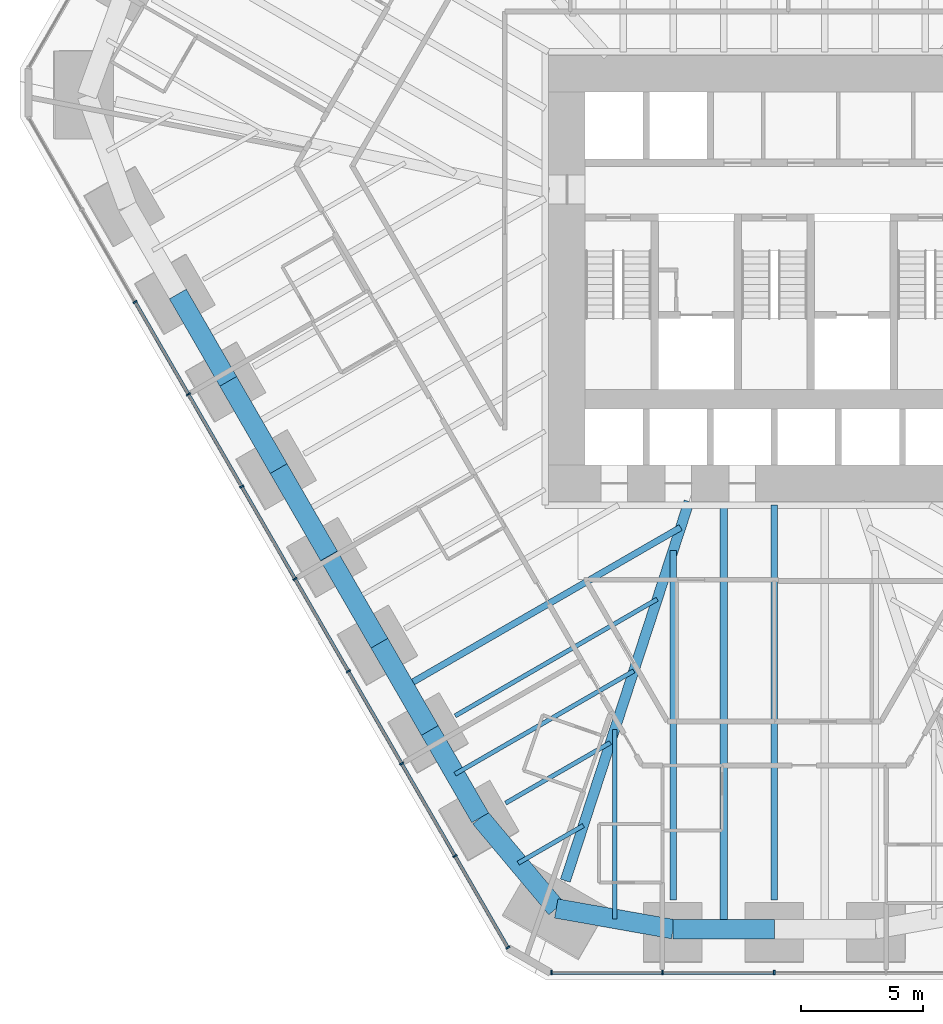
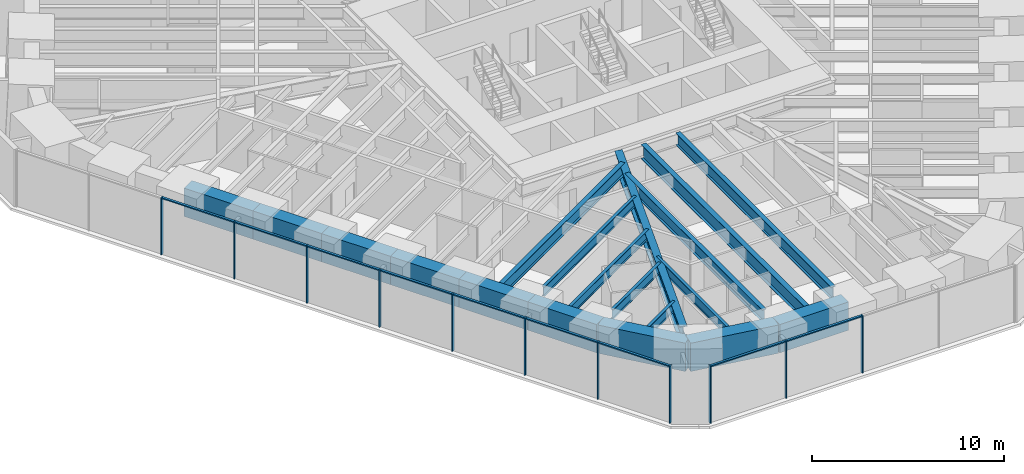
# One storey, part 2 of 17: 20 members, 19 beams, 2 elements without a shape of their own.
"""IFC4 building model written with IfcOpenShell, lengths in metres."""

import ifcopenshell
import ifcopenshell.guid

model = None  # the IFC model being written
_history = None  # IfcOwnerHistory: only IFC2X3 demands one
_inside = {}  # id of a spatial element -> (the spatial element, [elements in it])
_under = {}  # id of a project, library or spatial element -> (it, [spatial elements below it])
_declared = {}  # id of a project -> (the project, [libraries it declares])
_typed = {}  # id of a type object -> (the type object, [elements of that type])
_made_of = {}  # id of a material, layer set ... -> (it, [elements and type objects made of it])


def new_model(schema):
    """Start an empty IFC model of exactly this schema.

    Asked for "IFC4X3", IfcOpenShell would pick the latest addendum, in which some entities
    have other attributes; the version numbers below select the first issue.
    IFC2X3 requires an IfcOwnerHistory on every rooted entity: one is made here for all.
    """
    global model, _history
    if schema == "IFC4X3":
        model = ifcopenshell.file(schema_version=(4, 3, 0, 0))
    else:
        model = ifcopenshell.file(schema=schema)
    _inside.clear()
    _under.clear()
    _declared.clear()
    _typed.clear()
    _made_of.clear()
    _history = None
    if model.schema == "IFC2X3":
        org = make("IfcOrganization", Name="unknown")
        user = make(
            "IfcPersonAndOrganization",
            ThePerson=make("IfcPerson", FamilyName="unknown"),
            TheOrganization=org,
        )
        app = make(
            "IfcApplication",
            ApplicationDeveloper=org,
            Version="unknown",
            ApplicationFullName="unknown",
            ApplicationIdentifier="unknown",
        )
        _history = make(
            "IfcOwnerHistory",
            OwningUser=user,
            OwningApplication=app,
            ChangeAction="ADDED",
            CreationDate=0,
        )
    return model


def make(cls, **values):
    """One entity of the class cls with the attributes given. An attribute that is None is left unset."""
    return model.create_entity(
        cls, **{name: value for name, value in values.items() if value is not None}
    )


def rooted(cls, **values):
    """An entity with a GlobalId (a new one), such as an element, a storey or a relation."""
    return make(cls, GlobalId=ifcopenshell.guid.new(), OwnerHistory=_history, **values)


def si_unit(unit_type, name, prefix=None):
    """IfcSIUnit, for example si_unit("LENGTHUNIT", "METRE", prefix="MILLI")."""
    return make("IfcSIUnit", UnitType=unit_type, Prefix=prefix, Name=name)


def assignment(units):
    """IfcUnitAssignment: the units of a project."""
    return None if units is None else make("IfcUnitAssignment", Units=units)


def point(xyz):
    """IfcCartesianPoint."""
    return None if xyz is None else make("IfcCartesianPoint", Coordinates=xyz)


def direction(xyz):
    """IfcDirection."""
    return None if xyz is None else make("IfcDirection", DirectionRatios=xyz)


def frame(location, z_axis=None, x_axis=None):
    """IfcAxis2Placement3D, a coordinate frame: its origin and axes. An axis left out is left unset."""
    return make(
        "IfcAxis2Placement3D",
        Location=point(location),
        Axis=direction(z_axis),
        RefDirection=direction(x_axis),
    )


def frame_2d(location, x_axis=None):
    """IfcAxis2Placement2D, a coordinate frame in the plane: its origin and x axis."""
    return make(
        "IfcAxis2Placement2D", Location=point(location), RefDirection=direction(x_axis)
    )


def origin():
    """The frame at (0, 0, 0) with its axes left unset."""
    return frame((0.0, 0.0, 0.0))


def origin_2d():
    """The frame at (0, 0) in the plane with its x axis left unset."""
    return frame_2d((0.0, 0.0))


def place(relative_to, where):
    """IfcLocalPlacement: puts the frame where relative to a parent placement (None: the world)."""
    return make(
        "IfcLocalPlacement", PlacementRelTo=relative_to, RelativePlacement=where
    )


def context(
    kind, dimensions, precision=None, world=None, true_north=None, identifier=None
):
    """IfcGeometricRepresentationContext, for example the 3D "Model" context."""
    return make(
        "IfcGeometricRepresentationContext",
        ContextIdentifier=identifier,
        ContextType=kind,
        CoordinateSpaceDimension=dimensions,
        Precision=precision,
        WorldCoordinateSystem=world,
        TrueNorth=true_north,
    )


def subcontext(parent, identifier, kind, view, scale=None):
    """IfcGeometricRepresentationSubContext, for example "Body" below "Model"."""
    return make(
        "IfcGeometricRepresentationSubContext",
        ContextIdentifier=identifier,
        ContextType=kind,
        ParentContext=parent,
        TargetScale=scale,
        TargetView=view,
    )


def project(units=None, contexts=None):
    """IfcProject with its units and contexts."""
    return rooted(
        "IfcProject",
        Name="project",
        RepresentationContexts=contexts,
        UnitsInContext=assignment(units),
    )


def spatial(cls, under=None, at=None, **own):
    """A site, building, storey or space (cls), placed at a placement, below another one or the project."""
    s = rooted(cls, ObjectPlacement=at, **own)
    if under is not None:
        _under.setdefault(under.id(), (under, []))[1].append(s)
    return s


def profile(cls, at=None, kind="AREA", **sizes):
    """A parametric profile (cls). Its sizes go by their IFC names, for example OverallWidth=200.0."""
    return make(cls, ProfileType=kind, Position=at, **sizes)


def rectangle(**sizes):
    """IfcRectangleProfileDef."""
    return profile("IfcRectangleProfileDef", **sizes)


def i_section(**sizes):
    """IfcIShapeProfileDef."""
    return profile("IfcIShapeProfileDef", **sizes)


def extrude(swept, where, along, depth):
    """IfcExtrudedAreaSolid: the profile swept, set in the frame where, extruded along a direction by depth."""
    return make(
        "IfcExtrudedAreaSolid",
        SweptArea=swept,
        Position=where,
        ExtrudedDirection=direction(along),
        Depth=depth,
    )


def shape(context_of_items, identifier, shape_type, items):
    """IfcShapeRepresentation: the items that make up one representation, for example the "Body"."""
    return make(
        "IfcShapeRepresentation",
        ContextOfItems=context_of_items,
        RepresentationIdentifier=identifier,
        RepresentationType=shape_type,
        Items=items,
    )


def material(Name=None, Category=None):
    """IfcMaterial."""
    return make("IfcMaterial", Name=Name, Category=Category)


def material_profile(
    of_material, cross_section, Name=None, Category=None, Priority=None
):
    """IfcMaterialProfile: a cross section and its material."""
    return make(
        "IfcMaterialProfile",
        Name=Name,
        Material=of_material,
        Profile=cross_section,
        Priority=Priority,
        Category=Category,
    )


def profile_set(profiles, Name=None, composite=None):
    """IfcMaterialProfileSet."""
    return make(
        "IfcMaterialProfileSet",
        Name=Name,
        MaterialProfiles=profiles,
        CompositeProfile=composite,
    )


def made_of(thing, what):
    """Note that an element or type object is made of a material, layer set ...; save() writes the relation."""
    if what is not None:
        _made_of.setdefault(what.id(), (what, []))[1].append(thing)
    return thing


def type_object(cls, material=None, **own):
    """A type object (cls), such as IfcWallType, which elements share."""
    return made_of(rooted(cls, **own), material)


def element(
    cls,
    number,
    at=None,
    inside=None,
    cuts=None,
    type_object=None,
    material=None,
    context=None,
    identifier="Body",
    shape_type=None,
    held_by="IfcProductDefinitionShape",
    body=None,
    shapes=None,
    **own,
):
    """One element of the class cls, such as IfcWall. Its Tag is "e" and its number.

    at: its placement. inside: the storey or other place that contains it. cuts: it is an
    opening in that element (IfcRelVoidsElement). A single representation is given by context,
    identifier, shape_type and body (its items); several are given by shapes. held_by: the class
    of the entity that holds the representations. save() writes the other relations.
    """
    e = rooted(cls, Tag="e%d" % number, ObjectPlacement=at, **own)
    if body is not None:
        shapes = [shape(context, identifier, shape_type, body)]
    if shapes is not None:
        e.Representation = make(held_by, Representations=shapes)
    if inside is not None:
        _inside.setdefault(inside.id(), (inside, []))[1].append(e)
    if cuts is not None:
        rooted(
            "IfcRelVoidsElement", RelatingBuildingElement=cuts, RelatedOpeningElement=e
        )
    if type_object is not None:
        _typed.setdefault(type_object.id(), (type_object, []))[1].append(e)
    return made_of(e, material)


def aggregate(whole, parts):
    """IfcRelAggregates: a whole, such as a stair, and the parts it consists of."""
    return rooted("IfcRelAggregates", RelatingObject=whole, RelatedObjects=parts)


def save(model, path):
    """Write the relations noted so far, then the file.

    IfcRelAggregates (storeys below a building ...), IfcRelContainedInSpatialStructure (elements
    in a storey), IfcRelDefinesByType, IfcRelAssociatesMaterial and IfcRelDeclares: one each for
    every whole, place, type object, material and project.
    """
    for whole, parts in _under.values():
        aggregate(whole, parts)
    for where, things in _inside.values():
        rooted(
            "IfcRelContainedInSpatialStructure",
            RelatedElements=things,
            RelatingStructure=where,
        )
    for kind, things in _typed.values():
        rooted("IfcRelDefinesByType", RelatedObjects=things, RelatingType=kind)
    for what, things in _made_of.values():
        rooted("IfcRelAssociatesMaterial", RelatedObjects=things, RelatingMaterial=what)
    for by, libraries in _declared.values():
        rooted("IfcRelDeclares", RelatingContext=by, RelatedDefinitions=libraries)
    model.write(path)


model = new_model("IFC4")

# Units and contexts
model_context = context("Model", 3, precision=1e-05, world=origin(), true_north=direction((0.0, 1.0)))
body_context = subcontext(model_context, "Body", "Model", "MODEL_VIEW")
ifc_project = project(units=[si_unit("LENGTHUNIT", "METRE"), si_unit("AREAUNIT", "SQUARE_METRE"), si_unit("VOLUMEUNIT", "CUBIC_METRE"), si_unit("PLANEANGLEUNIT", "RADIAN"), si_unit("MASSUNIT", "GRAM", prefix="KILO")], contexts=[model_context])

# Site, building, storey
site_placement = place(None, origin())
site = spatial("IfcSite", under=ifc_project, at=site_placement, CompositionType="ELEMENT")
building_placement = place(site_placement, origin())
building = spatial("IfcBuilding", under=site, at=building_placement, Name="Sandreach Pilgrim Tower", CompositionType="ELEMENT")
storey_placement = place(building_placement, frame((0.0, 0.0, 64.800048828125)))
storey = spatial("IfcBuildingStorey", under=building, at=storey_placement, Name="L15", CompositionType="ELEMENT", Elevation=64.800048828125)

# Curtain wall, members
ifc_material_1 = material(Name="Aluminium framed curtain wall", Category="aluminium")
curtain_wall_type = type_object("IfcCurtainWallType", Name="Hostel tower curtain wall", PredefinedType="NOTDEFINED", material=ifc_material_1)
curtain_wall_1_placement = place(storey_placement, origin())
curtain_wall_1 = element("IfcCurtainWall", 1, at=curtain_wall_1_placement, inside=storey, type_object=curtain_wall_type, Name="CW-1 L15 S", PredefinedType="NOTDEFINED")
ifc_material_2 = material(Name="Aluminium extrusion", Category="aluminium")
ifc_material_profile_1 = material_profile(ifc_material_2, rectangle(XDim=0.06494140625, YDim=0.179931640625, at=origin_2d()), Name="CW-1M 65X180")
ifc_profile_set_1 = profile_set([ifc_material_profile_1], Name="Aluminium extrusion")
member_type_1 = type_object("IfcMemberType", Name="CW-1 mullion", PredefinedType="MULLION", material=ifc_profile_set_1)
member_1_placement = place(storey_placement, frame((0.0, -30.010986328125, 0.0), z_axis=(0.0, 0.0, 1.0), x_axis=(-1.0, 0.0, 0.0)))
member_1 = element("IfcMember", 2, at=member_1_placement, type_object=member_type_1, Name="CW-1 mullion 3", PredefinedType="MULLION", context=body_context, shape_type="SweptSolid", body=[
    extrude(rectangle(XDim=0.06494140625, YDim=0.179931640625, at=origin_2d()), origin(), (0.0, 0.0, 1.0), 3.639892578125),
])
member_2_placement = place(storey_placement, frame((-4.5859375, -30.010986328125, 0.0), z_axis=(0.0, 0.0, 1.0), x_axis=(-1.0, 0.0, 0.0)))
member_2 = element("IfcMember", 3, at=member_2_placement, type_object=member_type_1, Name="CW-1 mullion 4", PredefinedType="MULLION", context=body_context, shape_type="SweptSolid", body=[
    extrude(rectangle(XDim=0.06494140625, YDim=0.179931640625, at=origin_2d()), origin(), (0.0, 0.0, 1.0), 3.639892578125),
])
member_3_placement = place(storey_placement, frame((-9.1396484375, -30.010986328125, 0.0), z_axis=(0.0, 0.0, 1.0), x_axis=(-1.0, 0.0, 0.0)))
member_3 = element("IfcMember", 4, at=member_3_placement, type_object=member_type_1, Name="CW-1 mullion 5", PredefinedType="MULLION", context=body_context, shape_type="SweptSolid", body=[
    extrude(rectangle(XDim=0.06494140625, YDim=0.179931640625, at=origin_2d()), origin(), (0.0, 0.0, 1.0), 3.639892578125),
])

curtain_wall_2_placement = place(storey_placement, origin())
curtain_wall_2 = element("IfcCurtainWall", 5, at=curtain_wall_2_placement, inside=storey, type_object=curtain_wall_type, Name="CW-1 L15 SW", PredefinedType="NOTDEFINED")
member_4_placement = place(storey_placement, frame((-10.92041015625, -28.982666015625, 0.0), z_axis=(0.0, 0.0, 1.0), x_axis=(-0.5, 0.866025403784, 0.0)))
member_4 = element("IfcMember", 6, at=member_4_placement, type_object=member_type_1, Name="CW-1 mullion 1", PredefinedType="MULLION", context=body_context, shape_type="SweptSolid", body=[
    extrude(rectangle(XDim=0.06494140625, YDim=0.179931640625, at=origin_2d()), origin(), (0.0, 0.0, 1.0), 3.639892578125),
])
member_5_placement = place(storey_placement, frame((-13.08984375, -25.22509765625, 0.0), z_axis=(0.0, 0.0, 1.0), x_axis=(-0.5, 0.866025403784, 0.0)))
member_5 = element("IfcMember", 7, at=member_5_placement, type_object=member_type_1, Name="CW-1 mullion 2", PredefinedType="MULLION", context=body_context, shape_type="SweptSolid", body=[
    extrude(rectangle(XDim=0.06494140625, YDim=0.179931640625, at=origin_2d()), origin(), (0.0, 0.0, 1.0), 3.639892578125),
])
member_6_placement = place(storey_placement, frame((-15.275634765625, -21.439208984375, 0.0), z_axis=(0.0, 0.0, 1.0), x_axis=(-0.5, 0.866025403784, 0.0)))
member_6 = element("IfcMember", 8, at=member_6_placement, type_object=member_type_1, Name="CW-1 mullion 3", PredefinedType="MULLION", context=body_context, shape_type="SweptSolid", body=[
    extrude(rectangle(XDim=0.06494140625, YDim=0.179931640625, at=origin_2d()), origin(), (0.0, 0.0, 1.0), 3.639892578125),
])
member_7_placement = place(storey_placement, frame((-17.46142578125, -17.6533203125, 0.0), z_axis=(0.0, 0.0, 1.0), x_axis=(-0.5, 0.866025403784, 0.0)))
member_7 = element("IfcMember", 9, at=member_7_placement, type_object=member_type_1, Name="CW-1 mullion 4", PredefinedType="MULLION", context=body_context, shape_type="SweptSolid", body=[
    extrude(rectangle(XDim=0.06494140625, YDim=0.179931640625, at=origin_2d()), origin(), (0.0, 0.0, 1.0), 3.639892578125),
])
member_8_placement = place(storey_placement, frame((-19.647216796875, -13.8671875, 0.0), z_axis=(0.0, 0.0, 1.0), x_axis=(-0.5, 0.866025403784, 0.0)))
member_8 = element("IfcMember", 10, at=member_8_placement, type_object=member_type_1, Name="CW-1 mullion 5", PredefinedType="MULLION", context=body_context, shape_type="SweptSolid", body=[
    extrude(rectangle(XDim=0.06494140625, YDim=0.179931640625, at=origin_2d()), origin(), (0.0, 0.0, 1.0), 3.639892578125),
])
member_9_placement = place(storey_placement, frame((-21.8330078125, -10.081298828125, 0.0), z_axis=(0.0, 0.0, 1.0), x_axis=(-0.5, 0.866025403784, 0.0)))
member_9 = element("IfcMember", 11, at=member_9_placement, type_object=member_type_1, Name="CW-1 mullion 6", PredefinedType="MULLION", context=body_context, shape_type="SweptSolid", body=[
    extrude(rectangle(XDim=0.06494140625, YDim=0.179931640625, at=origin_2d()), origin(), (0.0, 0.0, 1.0), 3.639892578125),
])
member_10_placement = place(storey_placement, frame((-24.018798828125, -6.29541015625, 0.0), z_axis=(0.0, 0.0, 1.0), x_axis=(-0.5, 0.866025403784, 0.0)))
member_10 = element("IfcMember", 12, at=member_10_placement, type_object=member_type_1, Name="CW-1 mullion 7", PredefinedType="MULLION", context=body_context, shape_type="SweptSolid", body=[
    extrude(rectangle(XDim=0.06494140625, YDim=0.179931640625, at=origin_2d()), origin(), (0.0, 0.0, 1.0), 3.639892578125),
])
member_11_placement = place(storey_placement, frame((-26.20458984375, -2.509521484375, 0.0), z_axis=(0.0, 0.0, 1.0), x_axis=(-0.5, 0.866025403784, 0.0)))
member_11 = element("IfcMember", 13, at=member_11_placement, type_object=member_type_1, Name="CW-1 mullion 8", PredefinedType="MULLION", context=body_context, shape_type="SweptSolid", body=[
    extrude(rectangle(XDim=0.06494140625, YDim=0.179931640625, at=origin_2d()), origin(), (0.0, 0.0, 1.0), 3.639892578125),
])

# Member
ifc_material_3 = material(Name="Aluminium extrusion", Category="aluminium")
ifc_material_profile_2 = material_profile(ifc_material_3, rectangle(XDim=0.139892578125, YDim=0.070068359375, at=origin_2d()), Name="CW-1T 140X70")
ifc_profile_set_2 = profile_set([ifc_material_profile_2], Name="Aluminium extrusion")
member_type_2 = type_object("IfcMemberType", Name="CW-1 transom", PredefinedType="USERDEFINED", material=ifc_profile_set_2)
member_12_placement = place(storey_placement, frame((-0.032470703125, -30.010986328125, 3.60498046875), z_axis=(-1.0, 0.0, 0.0), x_axis=(0.0, -1.0, 0.0)))
member_12 = element("IfcMember", 14, at=member_12_placement, type_object=member_type_2, Name="CW-1 head transom 3", ObjectType="TRANSOM", PredefinedType="USERDEFINED", context=body_context, shape_type="SweptSolid", body=[
    extrude(rectangle(XDim=0.139892578125, YDim=0.070068359375, at=origin_2d()), origin(), (0.0, 0.0, 1.0), 4.52099609375),
])

member_13_placement = place(storey_placement, frame((-4.61865234375, -30.010986328125, 3.60498046875), z_axis=(-1.0, 0.0, 0.0), x_axis=(0.0, -1.0, 0.0)))
member_13 = element("IfcMember", 15, at=member_13_placement, type_object=member_type_2, Name="CW-1 head transom 4", ObjectType="TRANSOM", PredefinedType="USERDEFINED", context=body_context, shape_type="SweptSolid", body=[
    extrude(rectangle(XDim=0.139892578125, YDim=0.070068359375, at=origin_2d()), origin(), (0.0, 0.0, 1.0), 4.488525390625),
])

aggregate(curtain_wall_1, [member_1, member_2, member_3, member_12, member_13])

member_14_placement = place(storey_placement, frame((-10.9365234375, -28.95458984375, 3.60498046875), z_axis=(-0.500033953635, 0.866005799756, 0.0), x_axis=(-0.866005799756, -0.500033953635, 0.0)))
member_14 = element("IfcMember", 16, at=member_14_placement, type_object=member_type_2, Name="CW-1 head transom 1", ObjectType="TRANSOM", PredefinedType="USERDEFINED", context=body_context, shape_type="SweptSolid", body=[
    extrude(rectangle(XDim=0.139892578125, YDim=0.070068359375, at=origin_2d()), origin(), (0.0, 0.0, 1.0), 4.274169921875),
])

member_15_placement = place(storey_placement, frame((-13.106201171875, -25.19677734375, 3.60498046875), z_axis=(-0.500016891966, 0.866015650984, 0.0), x_axis=(-0.866015650984, -0.500016891966, 0.0)))
member_15 = element("IfcMember", 17, at=member_15_placement, type_object=member_type_2, Name="CW-1 head transom 2", ObjectType="TRANSOM", PredefinedType="USERDEFINED", context=body_context, shape_type="SweptSolid", body=[
    extrude(rectangle(XDim=0.139892578125, YDim=0.070068359375, at=origin_2d()), origin(), (0.0, 0.0, 1.0), 4.306396484375),
])

member_16_placement = place(storey_placement, frame((-15.2919921875, -21.410888671875, 3.60498046875), z_axis=(-0.500016891966, 0.866015650984, 0.0), x_axis=(-0.866015650984, -0.500016891966, 0.0)))
member_16 = element("IfcMember", 18, at=member_16_placement, type_object=member_type_2, Name="CW-1 head transom 3", ObjectType="TRANSOM", PredefinedType="USERDEFINED", context=body_context, shape_type="SweptSolid", body=[
    extrude(rectangle(XDim=0.139892578125, YDim=0.070068359375, at=origin_2d()), origin(), (0.0, 0.0, 1.0), 4.306396484375),
])

member_17_placement = place(storey_placement, frame((-17.477783203125, -17.625, 3.60498046875), z_axis=(-0.500016891966, 0.866015650984, 0.0), x_axis=(-0.866015650984, -0.500016891966, 0.0)))
member_17 = element("IfcMember", 19, at=member_17_placement, type_object=member_type_2, Name="CW-1 head transom 4", ObjectType="TRANSOM", PredefinedType="USERDEFINED", context=body_context, shape_type="SweptSolid", body=[
    extrude(rectangle(XDim=0.139892578125, YDim=0.070068359375, at=origin_2d()), origin(), (0.0, 0.0, 1.0), 4.306396484375),
])

member_18_placement = place(storey_placement, frame((-19.66357421875, -13.839111328125, 3.60498046875), z_axis=(-0.500016891966, 0.866015650984, 0.0), x_axis=(-0.866015650984, -0.500016891966, 0.0)))
member_18 = element("IfcMember", 20, at=member_18_placement, type_object=member_type_2, Name="CW-1 head transom 5", ObjectType="TRANSOM", PredefinedType="USERDEFINED", context=body_context, shape_type="SweptSolid", body=[
    extrude(rectangle(XDim=0.139892578125, YDim=0.070068359375, at=origin_2d()), origin(), (0.0, 0.0, 1.0), 4.306396484375),
])

member_19_placement = place(storey_placement, frame((-21.849365234375, -10.05322265625, 3.60498046875), z_axis=(-0.500016891966, 0.866015650984, 0.0), x_axis=(-0.866015650984, -0.500016891966, 0.0)))
member_19 = element("IfcMember", 21, at=member_19_placement, type_object=member_type_2, Name="CW-1 head transom 6", ObjectType="TRANSOM", PredefinedType="USERDEFINED", context=body_context, shape_type="SweptSolid", body=[
    extrude(rectangle(XDim=0.139892578125, YDim=0.070068359375, at=origin_2d()), origin(), (0.0, 0.0, 1.0), 4.306396484375),
])

member_20_placement = place(storey_placement, frame((-24.03515625, -6.267333984375, 3.60498046875), z_axis=(-0.500016891966, 0.866015650984, 0.0), x_axis=(-0.866015650984, -0.500016891966, 0.0)))
member_20 = element("IfcMember", 22, at=member_20_placement, type_object=member_type_2, Name="CW-1 head transom 7", ObjectType="TRANSOM", PredefinedType="USERDEFINED", context=body_context, shape_type="SweptSolid", body=[
    extrude(rectangle(XDim=0.139892578125, YDim=0.070068359375, at=origin_2d()), origin(), (0.0, 0.0, 1.0), 4.306396484375),
])

aggregate(curtain_wall_2, [member_4, member_5, member_6, member_7, member_8, member_9, member_10, member_11, member_14, member_15, member_16, member_17, member_18, member_19, member_20])

# Beams
ifc_material_4 = material(Name="Steel ASTM A992 Grade 50", Category="steel")
ifc_material_profile_3 = material_profile(ifc_material_4, i_section(OverallWidth=0.421630859375, OverallDepth=0.95751953125, WebThickness=0.02587890625, FlangeThickness=0.046875, at=origin_2d()), Name="W36X330")
ifc_profile_set_3 = profile_set([ifc_material_profile_3], Name="Steel ASTM A992 Grade 50")
beam_type_1 = type_object("IfcBeamType", Name="Corner girder W36X330", PredefinedType="BEAM", material=ifc_profile_set_3)
beam_1_placement = place(storey_placement, frame((-8.564453125, -26.2373046875, 3.1611328125), z_axis=(0.310310873709, 0.950635135926, 0.0), x_axis=(-0.950635135926, 0.310310873709, 0.0)))
element("IfcBeam", 23, at=beam_1_placement, inside=storey, type_object=beam_type_1, Name="BM L15 CG26", PredefinedType="BEAM", context=body_context, shape_type="SweptSolid", body=[
    extrude(i_section(OverallWidth=0.421630859375, OverallDepth=0.95751953125, WebThickness=0.02587890625, FlangeThickness=0.046875, at=origin_2d()), origin(), (0.0, 0.0, 1.0), 16.34423828125),
])
ifc_material_5 = material(Name="Steel ASTM A992 Grade 50", Category="steel")
ifc_material_profile_4 = material_profile(ifc_material_5, i_section(OverallWidth=0.1787109375, OverallDepth=0.60205078125, WebThickness=0.010986328125, FlangeThickness=0.014892578125, at=origin_2d()), Name="W24X62")
ifc_profile_set_4 = profile_set([ifc_material_profile_4], Name="Steel ASTM A992 Grade 50")
beam_type_2 = type_object("IfcBeamType", Name="Floor beam W24X62", PredefinedType="BEAM", material=ifc_profile_set_4)
beam_2_placement = place(storey_placement, frame((-11.015625, -23.06005859375, 3.3388671875), z_axis=(0.866021758131, 0.500006314404, 0.0), x_axis=(-0.500006314404, 0.866021758131, 0.0)))
element("IfcBeam", 24, at=beam_2_placement, inside=storey, type_object=beam_type_2, Name="BM L15 F27", PredefinedType="BEAM", context=body_context, shape_type="SweptSolid", body=[
    extrude(i_section(OverallWidth=0.1787109375, OverallDepth=0.60205078125, WebThickness=0.010986328125, FlangeThickness=0.014892578125, at=origin_2d()), origin(), (0.0, 0.0, 1.0), 4.96337890625),
])
beam_3_placement = place(storey_placement, frame((-13.081787109375, -19.4814453125, 3.3388671875), z_axis=(0.866019818373, 0.500009674092, 0.0), x_axis=(-0.500009674092, 0.866019818373, 0.0)))
element("IfcBeam", 25, at=beam_3_placement, inside=storey, type_object=beam_type_2, Name="BM L15 F28", PredefinedType="BEAM", context=body_context, shape_type="SweptSolid", body=[
    extrude(i_section(OverallWidth=0.1787109375, OverallDepth=0.60205078125, WebThickness=0.010986328125, FlangeThickness=0.014892578125, at=origin_2d()), origin(), (0.0, 0.0, 1.0), 9.565185546875),
])
beam_4_placement = place(storey_placement, frame((-6.541259765625, -27.802734375, 3.3388671875), z_axis=(0.0, 1.0, 0.0), x_axis=(-1.0, 0.0, 0.0)))
element("IfcBeam", 26, at=beam_4_placement, inside=storey, type_object=beam_type_2, Name="BM L15 FM25", PredefinedType="BEAM", context=body_context, shape_type="SweptSolid", body=[
    extrude(i_section(OverallWidth=0.1787109375, OverallDepth=0.60205078125, WebThickness=0.010986328125, FlangeThickness=0.014892578125, at=origin_2d()), origin(), (0.0, 0.0, 1.0), 7.763916015625),
])
beam_5_placement = place(storey_placement, frame((-10.495849609375, -25.51904296875, 3.3388671875), z_axis=(0.866025945564, 0.499999061609, 0.0), x_axis=(-0.499999061609, 0.866025945564, 0.0)))
element("IfcBeam", 27, at=beam_5_placement, inside=storey, type_object=beam_type_2, Name="BM L15 FM26", PredefinedType="BEAM", context=body_context, shape_type="SweptSolid", body=[
    extrude(i_section(OverallWidth=0.1787109375, OverallDepth=0.60205078125, WebThickness=0.010986328125, FlangeThickness=0.014892578125, at=origin_2d()), origin(), (0.0, 0.0, 1.0), 3.08154296875),
])
beam_6_placement = place(storey_placement, frame((-13.087890625, -21.87060546875, 3.3388671875), z_axis=(0.866029956157, 0.499992114976, 0.0), x_axis=(-0.499992114976, 0.866029956157, 0.0)))
element("IfcBeam", 28, at=beam_6_placement, inside=storey, type_object=beam_type_2, Name="BM L15 FM27", PredefinedType="BEAM", context=body_context, shape_type="SweptSolid", body=[
    extrude(i_section(OverallWidth=0.1787109375, OverallDepth=0.60205078125, WebThickness=0.010986328125, FlangeThickness=0.014892578125, at=origin_2d()), origin(), (0.0, 0.0, 1.0), 8.464111328125),
])
ifc_material_6 = material(Name="Steel ASTM A992 Grade 50", Category="steel")
ifc_material_profile_5 = material_profile(ifc_material_6, i_section(OverallWidth=0.2666015625, OverallDepth=0.761962890625, WebThickness=0.014404296875, FlangeThickness=0.021484375, at=origin_2d()), Name="W30X116")
ifc_profile_set_5 = profile_set([ifc_material_profile_5], Name="Steel ASTM A992 Grade 50")
beam_type_3 = type_object("IfcBeamType", Name="Floor beam W30X116", PredefinedType="BEAM", material=ifc_profile_set_5)
beam_7_placement = place(storey_placement, frame((-4.1455078125, -27.02734375, 3.259033203125), z_axis=(0.0, 1.0, 0.0), x_axis=(-1.0, 0.0, 0.0)))
element("IfcBeam", 29, at=beam_7_placement, inside=storey, type_object=beam_type_3, Name="BM L15 F25", PredefinedType="BEAM", context=body_context, shape_type="SweptSolid", body=[
    extrude(i_section(OverallWidth=0.2666015625, OverallDepth=0.761962890625, WebThickness=0.014404296875, FlangeThickness=0.021484375, at=origin_2d()), origin(), (0.0, 0.0, 1.0), 14.327880859375),
])
beam_8_placement = place(storey_placement, frame((-15.154052734375, -18.292236328125, 3.259033203125), z_axis=(0.866022229169, 0.500005498556, 0.0), x_axis=(-0.500005498556, 0.866022229169, 0.0)))
element("IfcBeam", 30, at=beam_8_placement, inside=storey, type_object=beam_type_3, Name="BM L15 FM28", PredefinedType="BEAM", context=body_context, shape_type="SweptSolid", body=[
    extrude(i_section(OverallWidth=0.2666015625, OverallDepth=0.761962890625, WebThickness=0.014404296875, FlangeThickness=0.021484375, at=origin_2d()), origin(), (0.0, 0.0, 1.0), 13.066162109375),
])
ifc_material_7 = material(Name="Steel ASTM A992 Grade 50", Category="steel")
ifc_material_profile_6 = material_profile(ifc_material_7, i_section(OverallWidth=0.2666015625, OverallDepth=0.77978515625, WebThickness=0.0166015625, FlangeThickness=0.030029296875, at=origin_2d()), Name="W30X148")
ifc_profile_set_6 = profile_set([ifc_material_profile_6], Name="Steel ASTM A992 Grade 50")
beam_type_4 = type_object("IfcBeamType", Name="Floor beam W30X148", PredefinedType="BEAM", material=ifc_profile_set_6)
beam_9_placement = place(storey_placement, frame((0.0, -27.02734375, 3.25), z_axis=(0.0, 1.0, 0.0), x_axis=(-1.0, 0.0, 0.0)))
element("IfcBeam", 31, at=beam_9_placement, inside=storey, type_object=beam_type_4, Name="BM L15 F24", PredefinedType="BEAM", context=body_context, shape_type="SweptSolid", body=[
    extrude(i_section(OverallWidth=0.2666015625, OverallDepth=0.77978515625, WebThickness=0.0166015625, FlangeThickness=0.030029296875, at=origin_2d()), origin(), (0.0, 0.0, 1.0), 16.18408203125),
])
ifc_material_8 = material(Name="Steel ASTM A992 Grade 50", Category="steel")
ifc_material_profile_7 = material_profile(ifc_material_8, i_section(OverallWidth=0.3046875, OverallDepth=0.914306640625, WebThickness=0.0166015625, FlangeThickness=0.02587890625, at=origin_2d()), Name="W36X160")
ifc_profile_set_7 = profile_set([ifc_material_profile_7], Name="Steel ASTM A992 Grade 50")
beam_type_5 = type_object("IfcBeamType", Name="Floor beam W36X160", PredefinedType="BEAM", material=ifc_profile_set_7)
beam_10_placement = place(storey_placement, frame((-2.07275390625, -28.227294921875, 3.182861328125), z_axis=(0.0, 1.0, 0.0), x_axis=(-1.0, 0.0, 0.0)))
element("IfcBeam", 32, at=beam_10_placement, inside=storey, type_object=beam_type_5, Name="BM L15 FM24", PredefinedType="BEAM", context=body_context, shape_type="SweptSolid", body=[
    extrude(i_section(OverallWidth=0.3046875, OverallDepth=0.914306640625, WebThickness=0.0166015625, FlangeThickness=0.02587890625, at=origin_2d()), origin(), (0.0, 0.0, 1.0), 17.384033203125),
])
ifc_material_9 = material(Name="Concrete 10000 psi", Category="concrete")
ifc_material_profile_8 = material_profile(ifc_material_9, rectangle(XDim=0.800048828125, YDim=1.800048828125, at=origin_2d()), Name="RC800X1800")
ifc_profile_set_8 = profile_set([ifc_material_profile_8], Name="Concrete 10000 psi")
beam_type_6 = type_object("IfcBeamType", Name="Spandrel beam RC800X1800", PredefinedType="SPANDREL", material=ifc_profile_set_8)
beam_11_placement = place(storey_placement, frame((0.0, -28.227294921875, 2.739990234375), z_axis=(-1.0, 0.0, 0.0), x_axis=(0.0, -1.0, 0.0)))
element("IfcBeam", 33, at=beam_11_placement, inside=storey, type_object=beam_type_6, Name="BM L15 SP24", PredefinedType="SPANDREL", context=body_context, shape_type="SweptSolid", body=[
    extrude(rectangle(XDim=0.800048828125, YDim=1.800048828125, at=origin_2d()), origin(), (0.0, 0.0, 1.0), 4.1455078125),
])
beam_12_placement = place(storey_placement, frame((-4.1455078125, -28.227294921875, 2.739990234375), z_axis=(-0.984649422196, 0.174543734832, 0.0), x_axis=(-0.174543734832, -0.984649422196, 0.0)))
element("IfcBeam", 34, at=beam_12_placement, inside=storey, type_object=beam_type_6, Name="BM L15 SP25", PredefinedType="SPANDREL", context=body_context, shape_type="SweptSolid", body=[
    extrude(rectangle(XDim=0.800048828125, YDim=1.800048828125, at=origin_2d()), origin(), (0.0, 0.0, 1.0), 4.8662109375),
])
beam_13_placement = place(storey_placement, frame((-8.93701171875, -27.3779296875, 2.739990234375), z_axis=(-0.642561762037, 0.766233895079, 0.0), x_axis=(-0.766233895079, -0.642561762037, 0.0)))
element("IfcBeam", 35, at=beam_13_placement, inside=storey, type_object=beam_type_6, Name="BM L15 SP26", PredefinedType="SPANDREL", context=body_context, shape_type="SweptSolid", body=[
    extrude(rectangle(XDim=0.800048828125, YDim=1.800048828125, at=origin_2d()), origin(), (0.0, 0.0, 1.0), 4.852294921875),
])
beam_14_placement = place(storey_placement, frame((-12.054931640625, -23.659912109375, 2.739990234375), z_axis=(-0.500008851346, 0.866020293397, 0.0), x_axis=(-0.866020293397, -0.500008851346, 0.0)))
element("IfcBeam", 36, at=beam_14_placement, inside=storey, type_object=beam_type_6, Name="BM L15 SP27", PredefinedType="SPANDREL", context=body_context, shape_type="SweptSolid", body=[
    extrude(rectangle(XDim=0.800048828125, YDim=1.800048828125, at=origin_2d()), origin(), (0.0, 0.0, 1.0), 4.13232421875),
])
beam_15_placement = place(storey_placement, frame((-14.12109375, -20.081298828125, 2.739990234375), z_axis=(-0.499990122378, 0.866031106557, 0.0), x_axis=(-0.866031106557, -0.499990122378, 0.0)))
element("IfcBeam", 37, at=beam_15_placement, inside=storey, type_object=beam_type_6, Name="BM L15 SP28", PredefinedType="SPANDREL", context=body_context, shape_type="SweptSolid", body=[
    extrude(rectangle(XDim=0.800048828125, YDim=1.800048828125, at=origin_2d()), origin(), (0.0, 0.0, 1.0), 4.1318359375),
])
for number, where, z_axis, x_axis, name in (
    (38, (-16.18701171875, -16.5029296875, 2.739990234375), (-0.500008851346, 0.866020293397, 0.0), (-0.866020293397, -0.500008851346, 0.0), "BM L15 SP29"),
    (39, (-18.253173828125, -12.92431640625, 2.739990234375), (-0.500008851346, 0.866020293397, 0.0), (-0.866020293397, -0.500008851346, 0.0), "BM L15 SP30"),
    (40, (-20.3193359375, -9.345703125, 2.739990234375), (-0.500008851346, 0.866020293397, 0.0), (-0.866020293397, -0.500008851346, 0.0), "BM L15 SP31"),
):
    element("IfcBeam", number, at=place(storey_placement, frame(where, z_axis=z_axis, x_axis=x_axis)), inside=storey, type_object=beam_type_6, Name=name, PredefinedType="SPANDREL", context=body_context, shape_type="SweptSolid", body=[
        extrude(rectangle(XDim=0.800048828125, YDim=1.800048828125, at=origin_2d()), origin(), (0.0, 0.0, 1.0), 4.13232421875),
    ])
beam_16_placement = place(storey_placement, frame((-22.385498046875, -5.76708984375, 2.739990234375), z_axis=(-0.499964538592, 0.86604587647, 0.0), x_axis=(-0.86604587647, -0.499964538592, 0.0)))
element("IfcBeam", 41, at=beam_16_placement, inside=storey, type_object=beam_type_6, Name="BM L15 SP32", PredefinedType="SPANDREL", context=body_context, shape_type="SweptSolid", body=[
    extrude(rectangle(XDim=0.800048828125, YDim=1.800048828125, at=origin_2d()), origin(), (0.0, 0.0, 1.0), 4.132080078125),
])

save(model, "model.ifc")
